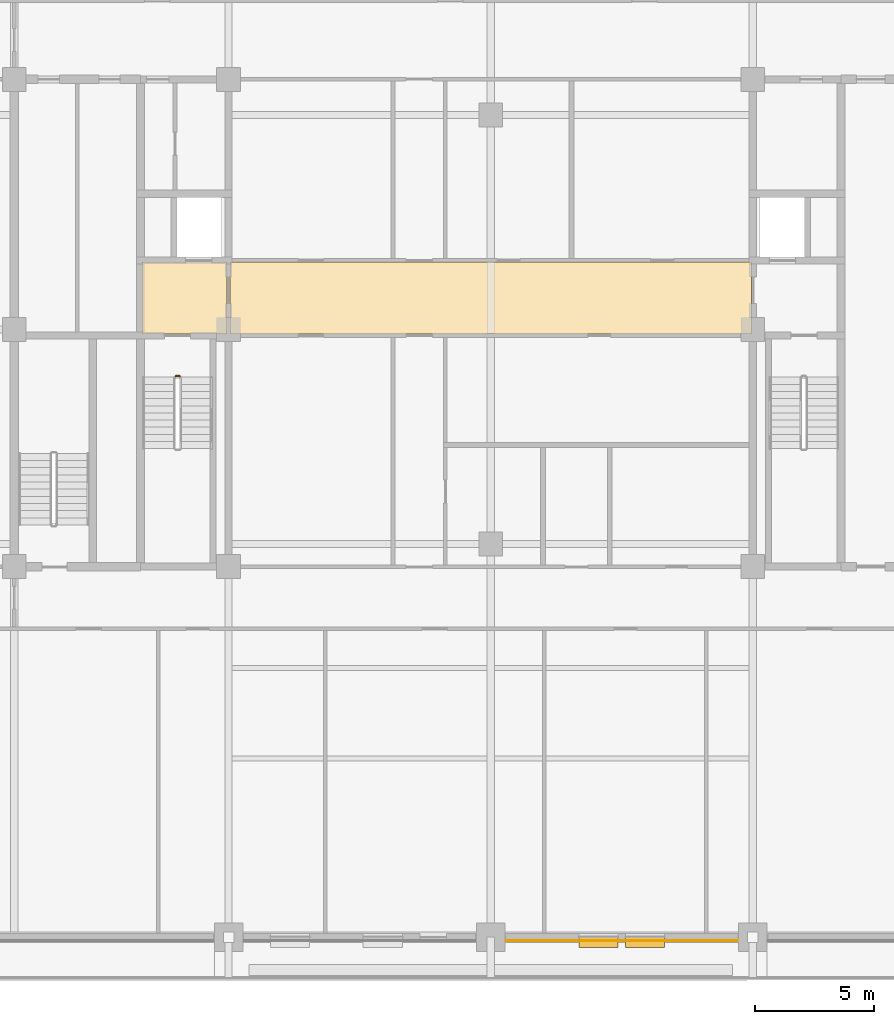
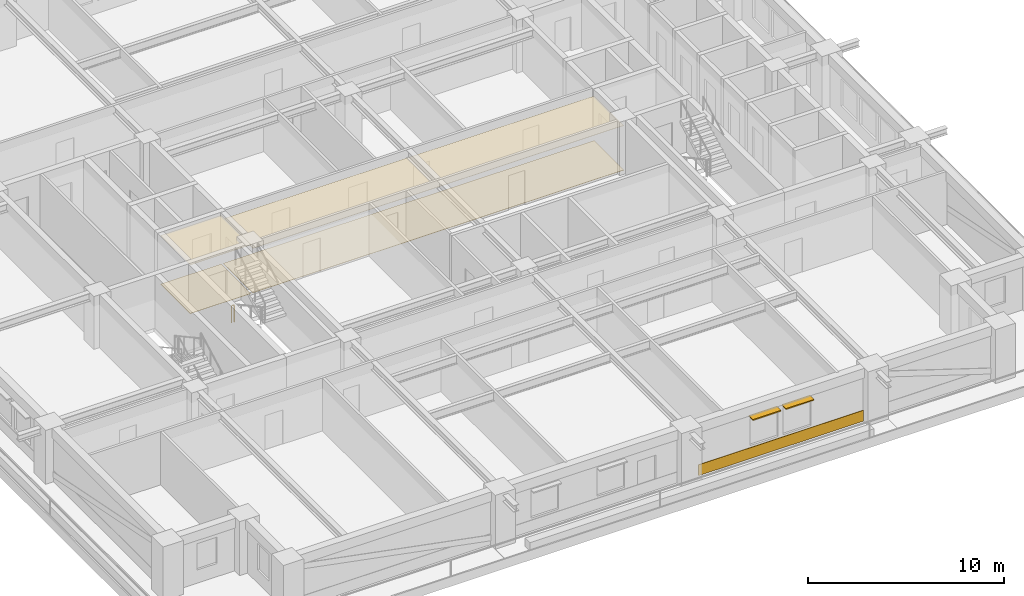
# One storey, part 13 of 16: 5 coverings, 2 shading devices, 1 railing.
"""IFC4 building model written with IfcOpenShell, lengths in metres."""

from ifc_helpers import new_model, si_unit, direction, frame, frame_2d, origin, origin_2d, place, context, subcontext, project, spatial, polyline, rectangle, outline, extrude, material, layer, layer_set, type_object, element, save


model = new_model("IFC4")

# Units and contexts
model_context = context("Model", 3, precision=1e-05, world=origin(), true_north=direction((0.0, 1.0)))
body_context = subcontext(model_context, "Body", "Model", "MODEL_VIEW")
ifc_project = project(units=[si_unit("LENGTHUNIT", "METRE"), si_unit("AREAUNIT", "SQUARE_METRE"), si_unit("VOLUMEUNIT", "CUBIC_METRE"), si_unit("PLANEANGLEUNIT", "RADIAN"), si_unit("MASSUNIT", "GRAM", prefix="KILO")], contexts=[model_context])

# Site, building, storey
site_placement = place(None, origin())
site = spatial("IfcSite", under=ifc_project, at=site_placement, CompositionType="ELEMENT")
building_placement = place(site_placement, origin())
building = spatial("IfcBuilding", under=site, at=building_placement, Name="Zulmaris Gate Convention Tower", CompositionType="ELEMENT")
storey_placement = place(building_placement, frame((0.0, 0.0, 124.919921875)))
storey = spatial("IfcBuildingStorey", under=building, at=storey_placement, Name="L31", CompositionType="ELEMENT", Elevation=124.919921875)

# Coverings
ifc_material_1 = material(Name="Precast concrete C40/50", Category="concrete")
ifc_layer_1 = layer(ifc_material_1, 0.0400390625, Name="Precast concrete C40/50")
ifc_layer_set_1 = layer_set([ifc_layer_1], Name="Precast concrete C40/50")
covering_type_1 = type_object("IfcCoveringType", Name="CLAD-SPANDREL-PRECAST", PredefinedType="CLADDING", material=ifc_layer_set_1)
covering_1_placement = place(storey_placement, frame((0.6298828125, -25.64990234375, 0.0), z_axis=(0.0, 0.0, 1.0), x_axis=(1.0, 0.0, 0.0)))
element("IfcCovering", 1, at=covering_1_placement, inside=storey, type_object=covering_type_1, Name="CLD-L31-S-2_0", PredefinedType="CLADDING", context=body_context, shape_type="SweptSolid", body=[
    extrude(rectangle(XDim=9.740234375, YDim=0.0400390625, at=frame_2d((4.8701171875, 0.0))), origin(), (0.0, 0.0, 1.0), 0.679931640625),
])
ifc_material_2 = material(Name="Mineral Fibre Acoustic Ceiling Tile")
ifc_layer_2 = layer(ifc_material_2, 0.02001953125, Name="Mineral Fibre Acoustic Ceiling Tile")
ifc_layer_set_2 = layer_set([ifc_layer_2], Name="Mineral Fibre Acoustic Ceiling Tile")
covering_type_2 = type_object("IfcCoveringType", Name="CLG-ACOUSTIC-600", PredefinedType="CEILING", material=ifc_layer_set_2)
covering_2_placement = place(storey_placement, frame((0.0, 0.0, 3.039794921875)))
element("IfcCovering", 2, at=covering_2_placement, inside=storey, type_object=covering_type_2, Name="CLG-L31-R03", PredefinedType="CEILING", context=body_context, shape_type="SweptSolid", body=[
    extrude(outline(polyline([(-14.639892578125, -0.18994140625), (-11.06005859375, -0.18994140625), (-11.06005859375, 2.840087890625), (-14.639892578125, 2.840087890625), (-14.639892578125, -0.18994140625)])), origin(), (0.0, 0.0, 1.0), 0.02001953125),
])
covering_3_placement = place(storey_placement, frame((0.0, 0.0, 2.77783203125)))
element("IfcCovering", 3, at=covering_3_placement, inside=storey, type_object=covering_type_2, Name="CLG-L31-R30", PredefinedType="CEILING", context=body_context, shape_type="SweptSolid", body=[
    extrude(outline(polyline([(-10.93994140625, -0.18994140625), (10.93994140625, -0.18994140625), (10.93994140625, 2.840087890625), (-10.93994140625, 2.840087890625), (-10.93994140625, -0.18994140625)])), origin(), (0.0, 0.0, 1.0), 0.02001953125),
])
ifc_material_3 = material(Name="Woven Acoustic Wool Carpet Tile")
ifc_layer_3 = layer(ifc_material_3, 0.02001953125, Name="Woven Acoustic Wool Carpet Tile")
ifc_layer_set_3 = layer_set([ifc_layer_3], Name="Woven Acoustic Wool Carpet Tile")
covering_type_3 = type_object("IfcCoveringType", Name="FLR-CARPET-12", PredefinedType="FLOORING", material=ifc_layer_set_3)
covering_4_placement = place(storey_placement, origin())
element("IfcCovering", 4, at=covering_4_placement, inside=storey, type_object=covering_type_3, Name="FLR-L31-R03", PredefinedType="FLOORING", context=body_context, shape_type="SweptSolid", body=[
    extrude(outline(polyline([(-14.639892578125, -0.18994140625), (-11.06005859375, -0.18994140625), (-11.06005859375, 2.840087890625), (-14.639892578125, 2.840087890625), (-14.639892578125, -0.18994140625)])), origin(), (0.0, 0.0, 1.0), 0.02001953125),
])
covering_5_placement = place(storey_placement, origin())
element("IfcCovering", 5, at=covering_5_placement, inside=storey, type_object=covering_type_3, Name="FLR-L31-R30", PredefinedType="FLOORING", context=body_context, shape_type="SweptSolid", body=[
    extrude(outline(polyline([(-10.93994140625, -0.18994140625), (10.93994140625, -0.18994140625), (10.93994140625, 2.840087890625), (-10.93994140625, 2.840087890625), (-10.93994140625, -0.18994140625)])), origin(), (0.0, 0.0, 1.0), 0.02001953125),
])

# Railing
ifc_material_4 = material(Name="Painted Galvanised Steel", Category="steel")
railing_type = type_object("IfcRailingType", Name="RL-STG-1150", PredefinedType="GUARDRAIL", material=ifc_material_4)
railing_placement = place(storey_placement, frame((-13.219970703125, -1.949951171875, 0.0)))
element("IfcRailing", 6, at=railing_placement, inside=storey, type_object=railing_type, Name="L31 ST-1 stair guard 4", PredefinedType="GUARDRAIL", context=body_context, shape_type="SweptSolid", body=[
    extrude(rectangle(XDim=0.048095703125, YDim=0.048095703125, at=origin_2d()), frame((0.0, 0.0, 1.076171875), z_axis=(1.0, 0.0, 0.0), x_axis=(0.0, 1.0, 0.0)), (0.0, 0.0, 1.0), 0.159912109375),
    extrude(rectangle(XDim=0.0419921875, YDim=0.0419921875, at=origin_2d()), origin(), (0.0, 0.0, 1.0), 1.052001953125),
    extrude(rectangle(XDim=0.0419921875, YDim=0.0419921875, at=origin_2d()), frame((0.159912109375, 0.0, 0.0)), (0.0, 0.0, 1.0), 1.052001953125),
])

# Shading devices
ifc_material_5 = material(Name="Glazed Ceramic Terracotta", Category="masonry")
ifc_layer_4 = layer(ifc_material_5, 0.070068359375, Name="Glazed Ceramic Terracotta")
ifc_layer_set_4 = layer_set([ifc_layer_4], Name="Glazed Ceramic Terracotta")
shading_device_type = type_object("IfcShadingDeviceType", Name="SHD-SUNSHADE-TC", PredefinedType="AWNING", material=ifc_layer_set_4)
for number, where, z_axis, x_axis, name in (
    (7, (3.700927734375, -25.719970703125, 2.530029296875), (0.0, 0.0, 1.0), (1.0, 0.0, 0.0), "SHD-EW-L31-S-2_0-2"),
    (8, (5.64892578125, -25.719970703125, 2.530029296875), (0.0, 0.0, 1.0), (1.0, 0.0, 0.0), "SHD-EW-L31-S-2_0-3"),
):
    element("IfcShadingDevice", number, at=place(storey_placement, frame(where, z_axis=z_axis, x_axis=x_axis)), inside=storey, type_object=shading_device_type, Name=name, PredefinedType="AWNING", context=body_context, shape_type="SweptSolid", body=[
        extrude(rectangle(XDim=1.650146484375, YDim=0.43994140625, at=frame_2d((0.8251953125, 0.0))), origin(), (0.0, 0.0, 1.0), 0.070068359375),
    ])

save(model, "model.ifc")
